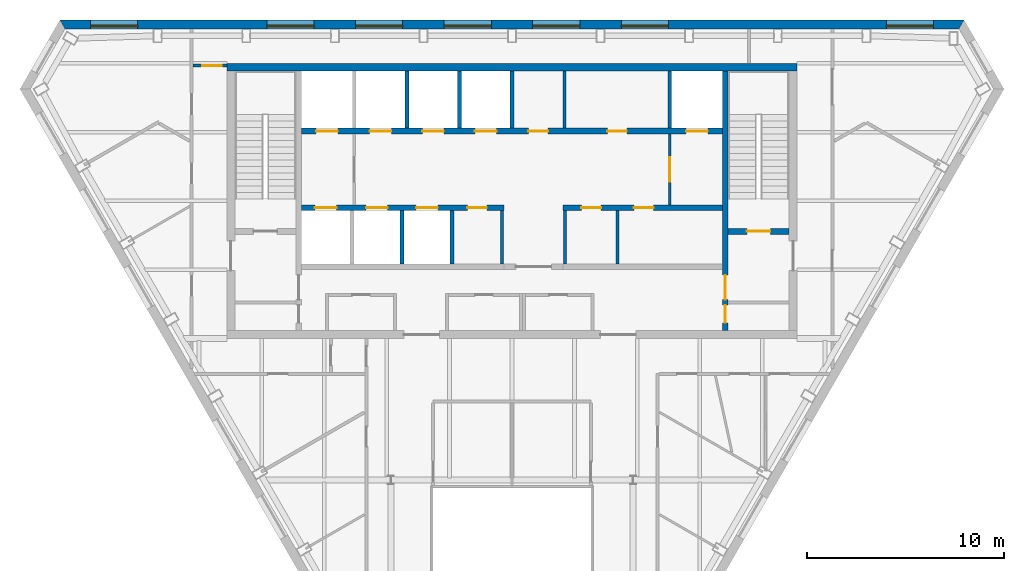
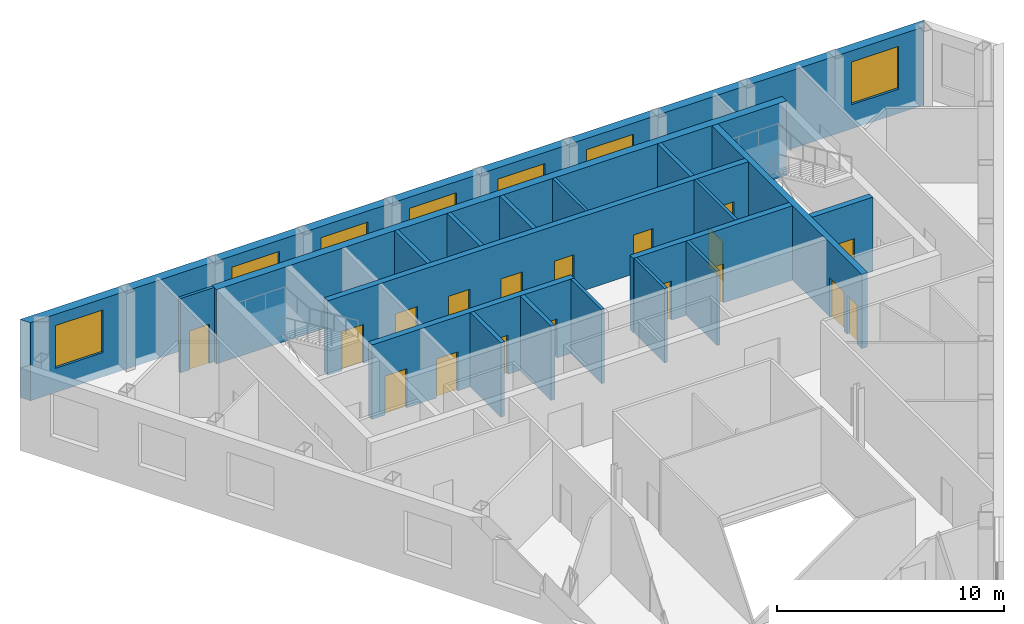
# One storey, part 6 of 10: 19 walls, 18 doors, 7 windows, 25 openings.
"""IFC4 building model written with IfcOpenShell, lengths in metres."""

import ifcopenshell
import ifcopenshell.guid

model = None  # the IFC model being written
_history = None  # IfcOwnerHistory: only IFC2X3 demands one
_inside = {}  # id of a spatial element -> (the spatial element, [elements in it])
_under = {}  # id of a project, library or spatial element -> (it, [spatial elements below it])
_declared = {}  # id of a project -> (the project, [libraries it declares])
_typed = {}  # id of a type object -> (the type object, [elements of that type])
_made_of = {}  # id of a material, layer set ... -> (it, [elements and type objects made of it])


def new_model(schema):
    """Start an empty IFC model of exactly this schema.

    Asked for "IFC4X3", IfcOpenShell would pick the latest addendum, in which some entities
    have other attributes; the version numbers below select the first issue.
    IFC2X3 requires an IfcOwnerHistory on every rooted entity: one is made here for all.
    """
    global model, _history
    if schema == "IFC4X3":
        model = ifcopenshell.file(schema_version=(4, 3, 0, 0))
    else:
        model = ifcopenshell.file(schema=schema)
    _inside.clear()
    _under.clear()
    _declared.clear()
    _typed.clear()
    _made_of.clear()
    _history = None
    if model.schema == "IFC2X3":
        org = make("IfcOrganization", Name="unknown")
        user = make(
            "IfcPersonAndOrganization",
            ThePerson=make("IfcPerson", FamilyName="unknown"),
            TheOrganization=org,
        )
        app = make(
            "IfcApplication",
            ApplicationDeveloper=org,
            Version="unknown",
            ApplicationFullName="unknown",
            ApplicationIdentifier="unknown",
        )
        _history = make(
            "IfcOwnerHistory",
            OwningUser=user,
            OwningApplication=app,
            ChangeAction="ADDED",
            CreationDate=0,
        )
    return model


def make(cls, **values):
    """One entity of the class cls with the attributes given. An attribute that is None is left unset."""
    return model.create_entity(
        cls, **{name: value for name, value in values.items() if value is not None}
    )


def rooted(cls, **values):
    """An entity with a GlobalId (a new one), such as an element, a storey or a relation."""
    return make(cls, GlobalId=ifcopenshell.guid.new(), OwnerHistory=_history, **values)


def si_unit(unit_type, name, prefix=None):
    """IfcSIUnit, for example si_unit("LENGTHUNIT", "METRE", prefix="MILLI")."""
    return make("IfcSIUnit", UnitType=unit_type, Prefix=prefix, Name=name)


def assignment(units):
    """IfcUnitAssignment: the units of a project."""
    return None if units is None else make("IfcUnitAssignment", Units=units)


def point(xyz):
    """IfcCartesianPoint."""
    return None if xyz is None else make("IfcCartesianPoint", Coordinates=xyz)


def direction(xyz):
    """IfcDirection."""
    return None if xyz is None else make("IfcDirection", DirectionRatios=xyz)


def frame(location, z_axis=None, x_axis=None):
    """IfcAxis2Placement3D, a coordinate frame: its origin and axes. An axis left out is left unset."""
    return make(
        "IfcAxis2Placement3D",
        Location=point(location),
        Axis=direction(z_axis),
        RefDirection=direction(x_axis),
    )


def frame_2d(location, x_axis=None):
    """IfcAxis2Placement2D, a coordinate frame in the plane: its origin and x axis."""
    return make(
        "IfcAxis2Placement2D", Location=point(location), RefDirection=direction(x_axis)
    )


def origin():
    """The frame at (0, 0, 0) with its axes left unset."""
    return frame((0.0, 0.0, 0.0))


def place(relative_to, where):
    """IfcLocalPlacement: puts the frame where relative to a parent placement (None: the world)."""
    return make(
        "IfcLocalPlacement", PlacementRelTo=relative_to, RelativePlacement=where
    )


def context(
    kind, dimensions, precision=None, world=None, true_north=None, identifier=None
):
    """IfcGeometricRepresentationContext, for example the 3D "Model" context."""
    return make(
        "IfcGeometricRepresentationContext",
        ContextIdentifier=identifier,
        ContextType=kind,
        CoordinateSpaceDimension=dimensions,
        Precision=precision,
        WorldCoordinateSystem=world,
        TrueNorth=true_north,
    )


def subcontext(parent, identifier, kind, view, scale=None):
    """IfcGeometricRepresentationSubContext, for example "Body" below "Model"."""
    return make(
        "IfcGeometricRepresentationSubContext",
        ContextIdentifier=identifier,
        ContextType=kind,
        ParentContext=parent,
        TargetScale=scale,
        TargetView=view,
    )


def project(units=None, contexts=None):
    """IfcProject with its units and contexts."""
    return rooted(
        "IfcProject",
        Name="project",
        RepresentationContexts=contexts,
        UnitsInContext=assignment(units),
    )


def spatial(cls, under=None, at=None, **own):
    """A site, building, storey or space (cls), placed at a placement, below another one or the project."""
    s = rooted(cls, ObjectPlacement=at, **own)
    if under is not None:
        _under.setdefault(under.id(), (under, []))[1].append(s)
    return s


def polyline(points):
    """IfcPolyline through the points."""
    return make("IfcPolyline", Points=[point(p) for p in points])


def profile(cls, at=None, kind="AREA", **sizes):
    """A parametric profile (cls). Its sizes go by their IFC names, for example OverallWidth=200.0."""
    return make(cls, ProfileType=kind, Position=at, **sizes)


def rectangle(**sizes):
    """IfcRectangleProfileDef."""
    return profile("IfcRectangleProfileDef", **sizes)


def outline(outer, holes=None, kind="AREA"):
    """IfcArbitraryClosedProfileDef: a profile drawn as a closed curve; with holes, ...WithVoids."""
    if holes is None:
        return make("IfcArbitraryClosedProfileDef", ProfileType=kind, OuterCurve=outer)
    return make(
        "IfcArbitraryProfileDefWithVoids",
        ProfileType=kind,
        OuterCurve=outer,
        InnerCurves=holes,
    )


def extrude(swept, where, along, depth):
    """IfcExtrudedAreaSolid: the profile swept, set in the frame where, extruded along a direction by depth."""
    return make(
        "IfcExtrudedAreaSolid",
        SweptArea=swept,
        Position=where,
        ExtrudedDirection=direction(along),
        Depth=depth,
    )


def shape(context_of_items, identifier, shape_type, items):
    """IfcShapeRepresentation: the items that make up one representation, for example the "Body"."""
    return make(
        "IfcShapeRepresentation",
        ContextOfItems=context_of_items,
        RepresentationIdentifier=identifier,
        RepresentationType=shape_type,
        Items=items,
    )


def material(Name=None, Category=None):
    """IfcMaterial."""
    return make("IfcMaterial", Name=Name, Category=Category)


def layer(
    of_material, thickness, ventilated=None, Name=None, Category=None, Priority=None
):
    """IfcMaterialLayer: one layer of a wall or slab, of a material (None: an air gap)."""
    return make(
        "IfcMaterialLayer",
        Material=of_material,
        LayerThickness=thickness,
        IsVentilated=ventilated,
        Name=Name,
        Category=Category,
        Priority=Priority,
    )


def layer_set(layers, Name=None):
    """IfcMaterialLayerSet."""
    return make("IfcMaterialLayerSet", MaterialLayers=layers, LayerSetName=Name)


def made_of(thing, what):
    """Note that an element or type object is made of a material, layer set ...; save() writes the relation."""
    if what is not None:
        _made_of.setdefault(what.id(), (what, []))[1].append(thing)
    return thing


def type_object(cls, material=None, **own):
    """A type object (cls), such as IfcWallType, which elements share."""
    return made_of(rooted(cls, **own), material)


def element(
    cls,
    number,
    at=None,
    inside=None,
    cuts=None,
    type_object=None,
    material=None,
    context=None,
    identifier="Body",
    shape_type=None,
    held_by="IfcProductDefinitionShape",
    body=None,
    shapes=None,
    **own,
):
    """One element of the class cls, such as IfcWall. Its Tag is "e" and its number.

    at: its placement. inside: the storey or other place that contains it. cuts: it is an
    opening in that element (IfcRelVoidsElement). A single representation is given by context,
    identifier, shape_type and body (its items); several are given by shapes. held_by: the class
    of the entity that holds the representations. save() writes the other relations.
    """
    e = rooted(cls, Tag="e%d" % number, ObjectPlacement=at, **own)
    if body is not None:
        shapes = [shape(context, identifier, shape_type, body)]
    if shapes is not None:
        e.Representation = make(held_by, Representations=shapes)
    if inside is not None:
        _inside.setdefault(inside.id(), (inside, []))[1].append(e)
    if cuts is not None:
        rooted(
            "IfcRelVoidsElement", RelatingBuildingElement=cuts, RelatedOpeningElement=e
        )
    if type_object is not None:
        _typed.setdefault(type_object.id(), (type_object, []))[1].append(e)
    return made_of(e, material)


def fill(opening, filler):
    """IfcRelFillsElement: the door or window that sits in an opening."""
    return rooted(
        "IfcRelFillsElement",
        RelatingOpeningElement=opening,
        RelatedBuildingElement=filler,
    )


def aggregate(whole, parts):
    """IfcRelAggregates: a whole, such as a stair, and the parts it consists of."""
    return rooted("IfcRelAggregates", RelatingObject=whole, RelatedObjects=parts)


def save(model, path):
    """Write the relations noted so far, then the file.

    IfcRelAggregates (storeys below a building ...), IfcRelContainedInSpatialStructure (elements
    in a storey), IfcRelDefinesByType, IfcRelAssociatesMaterial and IfcRelDeclares: one each for
    every whole, place, type object, material and project.
    """
    for whole, parts in _under.values():
        aggregate(whole, parts)
    for where, things in _inside.values():
        rooted(
            "IfcRelContainedInSpatialStructure",
            RelatedElements=things,
            RelatingStructure=where,
        )
    for kind, things in _typed.values():
        rooted("IfcRelDefinesByType", RelatedObjects=things, RelatingType=kind)
    for what, things in _made_of.values():
        rooted("IfcRelAssociatesMaterial", RelatedObjects=things, RelatingMaterial=what)
    for by, libraries in _declared.values():
        rooted("IfcRelDeclares", RelatingContext=by, RelatedDefinitions=libraries)
    model.write(path)


model = new_model("IFC4")

# Units and contexts
model_context = context("Model", 3, precision=1e-05, world=origin(), true_north=direction((0.0, 1.0)))
body_context = subcontext(model_context, "Body", "Model", "MODEL_VIEW")
ifc_project = project(units=[si_unit("LENGTHUNIT", "METRE"), si_unit("AREAUNIT", "SQUARE_METRE"), si_unit("VOLUMEUNIT", "CUBIC_METRE"), si_unit("PLANEANGLEUNIT", "RADIAN"), si_unit("MASSUNIT", "GRAM", prefix="KILO")], contexts=[model_context])

# Site, building, storey
site_placement = place(None, origin())
site = spatial("IfcSite", under=ifc_project, at=site_placement, CompositionType="ELEMENT")
building_placement = place(site_placement, origin())
building = spatial("IfcBuilding", under=site, at=building_placement, Name="Njiva Tower", CompositionType="ELEMENT")
storey_placement = place(building_placement, frame((0.0, 0.0, 333.6)))
storey = spatial("IfcBuildingStorey", under=building, at=storey_placement, Name="L76", CompositionType="ELEMENT", Elevation=333.6)

# Walls
ifc_material_1 = material(Name="Blockwork", Category="masonry")
ifc_layer_1 = layer(ifc_material_1, 0.15)
ifc_layer_set_1 = layer_set([ifc_layer_1], Name="Blockwork")
wall_type_1 = type_object("IfcWallType", Name="WT1 Compartment partition 150", PredefinedType="PARTITIONING", material=ifc_layer_set_1)
wall_1_placement = place(storey_placement, frame((2.675, 14.7, 0.0), z_axis=(0.0, 0.0, 1.0), x_axis=(0.0, 1.0, 0.0)))
element("IfcWall", 1, at=wall_1_placement, inside=storey, type_object=wall_type_1, Name="Partition CN5", PredefinedType="PARTITIONING", context=body_context, shape_type="SweptSolid", body=[
    extrude(rectangle(XDim=2.9, YDim=0.15, at=frame_2d((1.45, 0.0))), origin(), (0.0, 0.0, 1.0), 4.0),
])
for number, where, z_axis, x_axis, name in (
    (2, (-0.5, 7.8, 0.0), (0.0, 0.0, 1.0), (0.0, 1.0, 0.0), "Partition CS4"),
    (3, (2.7, 7.8, 0.0), (0.0, 0.0, 1.0), (0.0, 1.0, 0.0), "Partition CS5"),
    (4, (5.3667, 7.8, 0.0), (0.0, 0.0, 1.0), (0.0, 1.0, 0.0), "Partition CS6"),
):
    element("IfcWall", number, at=place(storey_placement, frame(where, z_axis=z_axis, x_axis=x_axis)), inside=storey, type_object=wall_type_1, Name=name, PredefinedType="PARTITIONING", context=body_context, shape_type="SweptSolid", body=[
        extrude(rectangle(XDim=2.7, YDim=0.15, at=frame_2d((1.35, 0.0))), origin(), (0.0, 0.0, 1.0), 4.0),
    ])

# Wall, openings, doors
ifc_material_2 = material(Name="Concrete C40/50", Category="concrete")
ifc_layer_2 = layer(ifc_material_2, 0.3)
ifc_layer_set_2 = layer_set([ifc_layer_2], Name="Concrete C40/50")
wall_type_2 = type_object("IfcWallType", Name="WT10 Stair enclosure wall 300", PredefinedType="SHEAR", material=ifc_layer_set_2)
wall_2_placement = place(storey_placement, frame((10.85, 4.4, 0.0), z_axis=(0.0, 0.0, 1.0), x_axis=(0.0, 1.0, 0.0)))
wall_2 = element("IfcWall", 5, at=wall_2_placement, inside=storey, type_object=wall_type_2, Name="Stair wall east inner", PredefinedType="SHEAR", context=body_context, shape_type="SweptSolid", body=[
    extrude(rectangle(XDim=13.2, YDim=0.3, at=frame_2d((6.6, 0.0))), origin(), (0.0, 0.0, 1.0), 4.0),
])
opening_1_placement = place(wall_2_placement, frame((1.575, 0.0, 0.0)))
opening_1 = element("IfcOpeningElement", 6, at=opening_1_placement, cuts=wall_2, Name="Opening S26-D921", PredefinedType="OPENING", context=body_context, shape_type="SweptSolid", body=[
    extrude(rectangle(XDim=1.25, YDim=2.1, at=frame_2d((0.625, 1.05))), frame((0.0, 0.16, 0.0), z_axis=(0.0, -1.0, 0.0), x_axis=(1.0, 0.0, 0.0)), (0.0, 0.0, 1.0), 0.32),
])
opening_2_placement = place(wall_2_placement, frame((0.4, 0.0, 0.0)))
opening_2 = element("IfcOpeningElement", 7, at=opening_2_placement, cuts=wall_2, Name="Opening S26-D923", PredefinedType="OPENING", context=body_context, shape_type="SweptSolid", body=[
    extrude(rectangle(XDim=0.9, YDim=2.1, at=frame_2d((0.45, 1.05))), frame((0.0, 0.16, 0.0), z_axis=(0.0, -1.0, 0.0), x_axis=(1.0, 0.0, 0.0)), (0.0, 0.0, 1.0), 0.32),
])
ifc_material_3 = material(Name="Steel door, painted", Category="steel")
door_type_1 = type_object("IfcDoorType", Name="D13 Steel door 900x2100", OperationType="SINGLE_SWING_LEFT", PredefinedType="DOOR", material=ifc_material_3)
door_1_placement = place(opening_2_placement, origin())
door_1 = element("IfcDoor", 8, at=door_1_placement, inside=storey, type_object=door_type_1, Name="Business centre door", OperationType="SINGLE_SWING_LEFT", OverallHeight=2.1, OverallWidth=0.9, PredefinedType="DOOR", context=body_context, shape_type="SweptSolid", body=[
    extrude(rectangle(XDim=0.9, YDim=2.1, at=frame_2d((0.45, 1.05))), frame((0.0, 0.025, 0.0), z_axis=(0.0, -1.0, 0.0), x_axis=(1.0, 0.0, 0.0)), (0.0, 0.0, 1.0), 0.05),
])
fill(opening_2, door_1)
ifc_material_4 = material(Name="Glazed steel fire door", Category="steel")
door_type_2 = type_object("IfcDoorType", Name="D8 Vestibule corridor door 1250x2100 glazed", OperationType="SINGLE_SWING_LEFT", PredefinedType="DOOR", material=ifc_material_4)
door_2_placement = place(opening_1_placement, origin())
door_2 = element("IfcDoor", 9, at=door_2_placement, inside=storey, type_object=door_type_2, Name="Stair vestibule corridor door", OperationType="SINGLE_SWING_RIGHT", OverallHeight=2.1, OverallWidth=1.25, PredefinedType="DOOR", context=body_context, shape_type="SweptSolid", body=[
    extrude(rectangle(XDim=1.25, YDim=2.1, at=frame_2d((0.625, 1.05))), frame((0.0, 0.025, 0.0), z_axis=(0.0, -1.0, 0.0), x_axis=(1.0, 0.0, 0.0)), (0.0, 0.0, 1.0), 0.05),
])
fill(opening_1, door_2)

# Wall, opening, door
wall_3_placement = place(storey_placement, frame((11.0, 9.45, 0.0), z_axis=(0.0, 0.0, 1.0), x_axis=(1.0, 0.0, 0.0)))
wall_3 = element("IfcWall", 10, at=wall_3_placement, inside=storey, type_object=wall_type_2, Name="Stair B south wall", PredefinedType="SHEAR", context=body_context, shape_type="SweptSolid", body=[
    extrude(rectangle(XDim=3.1, YDim=0.3, at=frame_2d((1.55, 0.0))), origin(), (0.0, 0.0, 1.0), 4.0),
])
opening_3_placement = place(wall_3_placement, frame((0.95, 0.0, 0.0)))
opening_3 = element("IfcOpeningElement", 11, at=opening_3_placement, cuts=wall_3, Name="Opening S26-D920", PredefinedType="OPENING", context=body_context, shape_type="SweptSolid", body=[
    extrude(rectangle(XDim=1.2, YDim=2.1, at=frame_2d((0.6, 1.05))), frame((0.0, 0.16, 0.0), z_axis=(0.0, -1.0, 0.0), x_axis=(1.0, 0.0, 0.0)), (0.0, 0.0, 1.0), 0.32),
])
door_type_3 = type_object("IfcDoorType", Name="D7 Stair vestibule door 1200x2100 glazed", OperationType="SINGLE_SWING_LEFT", PredefinedType="DOOR", material=ifc_material_4)
door_3_placement = place(opening_3_placement, origin())
door_3 = element("IfcDoor", 12, at=door_3_placement, inside=storey, type_object=door_type_3, Name="Stair B door", OperationType="SINGLE_SWING_LEFT", OverallHeight=2.1, OverallWidth=1.2, PredefinedType="DOOR", context=body_context, shape_type="SweptSolid", body=[
    extrude(rectangle(XDim=1.2, YDim=2.1, at=frame_2d((0.6, 1.05))), frame((0.0, 0.025, 0.0), z_axis=(0.0, -1.0, 0.0), x_axis=(1.0, 0.0, 0.0)), (0.0, 0.0, 1.0), 0.05),
])
fill(opening_3, door_3)

# Wall
ifc_material_5 = material(Name="Concrete C60/75", Category="concrete")
ifc_layer_3 = layer(ifc_material_5, 0.4)
ifc_layer_set_3 = layer_set([ifc_layer_3], Name="Concrete C60/75")
wall_type_3 = type_object("IfcWallType", Name="WT11 Core wall 400", PredefinedType="SHEAR", material=ifc_layer_set_3)
wall_4_placement = place(storey_placement, frame((-14.5, 17.8, 0.0), z_axis=(0.0, 0.0, 1.0), x_axis=(1.0, 0.0, 0.0)))
element("IfcWall", 13, at=wall_4_placement, inside=storey, type_object=wall_type_3, Name="Core wall north", PredefinedType="SHEAR", context=body_context, shape_type="SweptSolid", body=[
    extrude(rectangle(XDim=29.0, YDim=0.4, at=frame_2d((14.5, 0.0))), origin(), (0.0, 0.0, 1.0), 4.0),
])

# Wall, opening, door
ifc_layer_4 = layer(ifc_material_1, 0.15)
ifc_layer_set_4 = layer_set([ifc_layer_4], Name="Blockwork")
wall_type_4 = type_object("IfcWallType", Name="WT2 Lobby partition 150", PredefinedType="PARTITIONING", material=ifc_layer_set_4)
wall_5_placement = place(storey_placement, frame((8.025, 10.8, 0.0), z_axis=(0.0, 0.0, 1.0), x_axis=(0.0, 1.0, 0.0)))
wall_5 = element("IfcWall", 14, at=wall_5_placement, inside=storey, type_object=wall_type_4, Name="Firefighting lobby wall B", PredefinedType="PARTITIONING", context=body_context, shape_type="SweptSolid", body=[
    extrude(rectangle(XDim=3.6, YDim=0.15, at=frame_2d((1.8, 0.0))), origin(), (0.0, 0.0, 1.0), 4.0),
])
opening_4_placement = place(wall_5_placement, frame((1.175, 0.0, 0.0)))
opening_4 = element("IfcOpeningElement", 15, at=opening_4_placement, cuts=wall_5, Name="Opening S26-D919", PredefinedType="OPENING", context=body_context, shape_type="SweptSolid", body=[
    extrude(rectangle(XDim=1.25, YDim=2.1, at=frame_2d((0.625, 1.05))), frame((0.0, 0.085, 0.0), z_axis=(0.0, -1.0, 0.0), x_axis=(1.0, 0.0, 0.0)), (0.0, 0.0, 1.0), 0.17),
])
door_4_placement = place(opening_4_placement, origin())
door_4 = element("IfcDoor", 16, at=door_4_placement, inside=storey, type_object=door_type_2, Name="Stair vestibule corridor door", OperationType="SINGLE_SWING_LEFT", OverallHeight=2.1, OverallWidth=1.25, PredefinedType="DOOR", context=body_context, shape_type="SweptSolid", body=[
    extrude(rectangle(XDim=1.25, YDim=2.1, at=frame_2d((0.625, 1.05))), frame((0.0, 0.025, 0.0), z_axis=(0.0, -1.0, 0.0), x_axis=(1.0, 0.0, 0.0)), (0.0, 0.0, 1.0), 0.05),
])
fill(opening_4, door_4)

ifc_material_6 = material(Name="Gypsum board on steel studs", Category="gypsum")
ifc_layer_5 = layer(ifc_material_6, 0.15)
ifc_layer_set_5 = layer_set([ifc_layer_5], Name="Gypsum board on steel studs")
wall_type_5 = type_object("IfcWallType", Name="WT21 Compartment wall 150", PredefinedType="PARTITIONING", material=ifc_layer_set_5)
wall_6_placement = place(storey_placement, frame((-16.225, 17.879, 0.0), z_axis=(0.0, 0.0, 1.0), x_axis=(1.0, 0.0, 0.0)))
wall_6 = element("IfcWall", 17, at=wall_6_placement, inside=storey, type_object=wall_type_5, Name="Partition S26-P005", PredefinedType="PARTITIONING", context=body_context, shape_type="SweptSolid", body=[
    extrude(rectangle(XDim=1.725, YDim=0.15, at=frame_2d((0.8625, 0.0))), origin(), (0.0, 0.0, 1.0), 4.0),
])
opening_5_placement = place(wall_6_placement, frame((0.471, 0.0, 0.0)))
opening_5 = element("IfcOpeningElement", 18, at=opening_5_placement, cuts=wall_6, Name="Opening S26-D004", PredefinedType="OPENING", context=body_context, shape_type="SweptSolid", body=[
    extrude(rectangle(XDim=1.0, YDim=2.1, at=frame_2d((0.5, 1.05))), frame((0.0, 0.085, 0.0), z_axis=(0.0, -1.0, 0.0), x_axis=(1.0, 0.0, 0.0)), (0.0, 0.0, 1.0), 0.17),
])
ifc_material_7 = material(Name="Steel fire door set", Category="steel")
door_type_4 = type_object("IfcDoorType", Name="D37 Fire door 1000x2100", OperationType="SINGLE_SWING_LEFT", PredefinedType="DOOR", material=ifc_material_7)
door_5_placement = place(opening_5_placement, origin())
door_5 = element("IfcDoor", 19, at=door_5_placement, inside=storey, type_object=door_type_4, Name="Door S26-D004", OperationType="SINGLE_SWING_LEFT", OverallHeight=2.1, OverallWidth=1.0, PredefinedType="DOOR", context=body_context, shape_type="SweptSolid", body=[
    extrude(rectangle(XDim=1.0, YDim=2.1, at=frame_2d((0.5, 1.05))), frame((0.0, 0.025, 0.0), z_axis=(0.0, -1.0, 0.0), x_axis=(1.0, 0.0, 0.0)), (0.0, 0.0, 1.0), 0.05),
])
fill(opening_5, door_5)

# Walls
ifc_layer_6 = layer(ifc_material_2, 0.2)
ifc_layer_set_6 = layer_set([ifc_layer_6], Name="Concrete C40/50")
wall_type_6 = type_object("IfcWallType", Name="WT6 Lift shaft wall 200", PredefinedType="SHEAR", material=ifc_layer_set_6)
for number, where, z_axis, x_axis, name in (
    (20, (-5.35, 14.7, 0.0), (0.0, 0.0, 1.0), (0.0, 1.0, 0.0), "Shaft wall CN2"),
    (21, (-2.675, 14.7, 0.0), (0.0, 0.0, 1.0), (0.0, 1.0, 0.0), "Shaft wall CN3"),
    (22, (0.0, 14.7, 0.0), (0.0, 0.0, 1.0), (0.0, 1.0, 0.0), "Shaft wall CN4"),
    (23, (8.025, 14.7, 0.0), (0.0, 0.0, 1.0), (0.0, 1.0, 0.0), "Shaft wall CN7"),
):
    element("IfcWall", number, at=place(storey_placement, frame(where, z_axis=z_axis, x_axis=x_axis)), inside=storey, type_object=wall_type_6, Name=name, PredefinedType="SHEAR", context=body_context, shape_type="SweptSolid", body=[
        extrude(rectangle(XDim=2.9, YDim=0.2, at=frame_2d((1.45, 0.0))), origin(), (0.0, 0.0, 1.0), 4.0),
    ])
for number, where, z_axis, x_axis, name in (
    (24, (-5.6, 7.8, 0.0), (0.0, 0.0, 1.0), (0.0, 1.0, 0.0), "Shaft wall CS2"),
    (25, (-3.05, 7.8, 0.0), (0.0, 0.0, 1.0), (0.0, 1.0, 0.0), "Shaft wall CS3"),
):
    element("IfcWall", number, at=place(storey_placement, frame(where, z_axis=z_axis, x_axis=x_axis)), inside=storey, type_object=wall_type_6, Name=name, PredefinedType="SHEAR", context=body_context, shape_type="SweptSolid", body=[
        extrude(rectangle(XDim=2.7, YDim=0.2, at=frame_2d((1.35, 0.0))), origin(), (0.0, 0.0, 1.0), 4.0),
    ])

# Wall, openings, doors
ifc_layer_7 = layer(ifc_material_2, 0.3)
ifc_layer_set_7 = layer_set([ifc_layer_7], Name="Concrete C40/50")
wall_type_7 = type_object("IfcWallType", Name="WT7 Lift shaft wall 300", PredefinedType="SHEAR", material=ifc_layer_set_7)
wall_7_placement = place(storey_placement, frame((-10.7, 14.55, 0.0), z_axis=(0.0, 0.0, 1.0), x_axis=(1.0, 0.0, 0.0)))
wall_7 = element("IfcWall", 26, at=wall_7_placement, inside=storey, type_object=wall_type_7, Name="Shaft wall north row lobby side", PredefinedType="SHEAR", context=body_context, shape_type="SweptSolid", body=[
    extrude(rectangle(XDim=21.4, YDim=0.3, at=frame_2d((10.7, 0.0))), origin(), (0.0, 0.0, 1.0), 4.0),
])
opening_6_placement = place(wall_7_placement, frame((0.7375, 0.0, 0.0)))
opening_6 = element("IfcOpeningElement", 27, at=opening_6_placement, cuts=wall_7, Name="Opening S26-D901", PredefinedType="OPENING", context=body_context, shape_type="SweptSolid", body=[
    extrude(rectangle(XDim=1.1, YDim=2.1, at=frame_2d((0.55, 1.05))), frame((0.0, 0.16, 0.0), z_axis=(0.0, -1.0, 0.0), x_axis=(1.0, 0.0, 0.0)), (0.0, 0.0, 1.0), 0.32),
])
opening_7_placement = place(wall_7_placement, frame((3.4625, 0.0, 0.0)))
opening_7 = element("IfcOpeningElement", 28, at=opening_7_placement, cuts=wall_7, Name="Opening S26-D902", PredefinedType="OPENING", context=body_context, shape_type="SweptSolid", body=[
    extrude(rectangle(XDim=1.1, YDim=2.1, at=frame_2d((0.55, 1.05))), frame((0.0, 0.16, 0.0), z_axis=(0.0, -1.0, 0.0), x_axis=(1.0, 0.0, 0.0)), (0.0, 0.0, 1.0), 0.32),
])
opening_8_placement = place(wall_7_placement, frame((6.1375, 0.0, 0.0)))
opening_8 = element("IfcOpeningElement", 29, at=opening_8_placement, cuts=wall_7, Name="Opening S26-D903", PredefinedType="OPENING", context=body_context, shape_type="SweptSolid", body=[
    extrude(rectangle(XDim=1.1, YDim=2.1, at=frame_2d((0.55, 1.05))), frame((0.0, 0.16, 0.0), z_axis=(0.0, -1.0, 0.0), x_axis=(1.0, 0.0, 0.0)), (0.0, 0.0, 1.0), 0.32),
])
opening_9_placement = place(wall_7_placement, frame((8.8125, 0.0, 0.0)))
opening_9 = element("IfcOpeningElement", 30, at=opening_9_placement, cuts=wall_7, Name="Opening S26-D904", PredefinedType="OPENING", context=body_context, shape_type="SweptSolid", body=[
    extrude(rectangle(XDim=1.1, YDim=2.1, at=frame_2d((0.55, 1.05))), frame((0.0, 0.16, 0.0), z_axis=(0.0, -1.0, 0.0), x_axis=(1.0, 0.0, 0.0)), (0.0, 0.0, 1.0), 0.32),
])
opening_10_placement = place(wall_7_placement, frame((19.5625, 0.0, 0.0)))
opening_10 = element("IfcOpeningElement", 31, at=opening_10_placement, cuts=wall_7, Name="Opening S26-D905", PredefinedType="OPENING", context=body_context, shape_type="SweptSolid", body=[
    extrude(rectangle(XDim=1.1, YDim=2.1, at=frame_2d((0.55, 1.05))), frame((0.0, 0.16, 0.0), z_axis=(0.0, -1.0, 0.0), x_axis=(1.0, 0.0, 0.0)), (0.0, 0.0, 1.0), 0.32),
])
opening_11_placement = place(wall_7_placement, frame((11.5375, 0.0, 0.0)))
opening_11 = element("IfcOpeningElement", 32, at=opening_11_placement, cuts=wall_7, Name="Opening S26-D909", PredefinedType="OPENING", context=body_context, shape_type="SweptSolid", body=[
    extrude(rectangle(XDim=1.0, YDim=2.1, at=frame_2d((0.5, 1.05))), frame((0.0, 0.16, 0.0), z_axis=(0.0, -1.0, 0.0), x_axis=(1.0, 0.0, 0.0)), (0.0, 0.0, 1.0), 0.32),
])
opening_12_placement = place(wall_7_placement, frame((15.55, 0.0, 0.0)))
opening_12 = element("IfcOpeningElement", 33, at=opening_12_placement, cuts=wall_7, Name="Opening S26-D910", PredefinedType="OPENING", context=body_context, shape_type="SweptSolid", body=[
    extrude(rectangle(XDim=1.0, YDim=2.1, at=frame_2d((0.5, 1.05))), frame((0.0, 0.16, 0.0), z_axis=(0.0, -1.0, 0.0), x_axis=(1.0, 0.0, 0.0)), (0.0, 0.0, 1.0), 0.32),
])
door_type_5 = type_object("IfcDoorType", Name="D5 Steel door 1000x2100", OperationType="SINGLE_SWING_LEFT", PredefinedType="DOOR", material=ifc_material_3)
door_6_placement = place(opening_11_placement, origin())
door_6 = element("IfcDoor", 34, at=door_6_placement, inside=storey, type_object=door_type_5, Name="Quiet room door", OperationType="SINGLE_SWING_LEFT", OverallHeight=2.1, OverallWidth=1.0, PredefinedType="DOOR", context=body_context, shape_type="SweptSolid", body=[
    extrude(rectangle(XDim=1.0, YDim=2.1, at=frame_2d((0.5, 1.05))), frame((0.0, 0.025, 0.0), z_axis=(0.0, -1.0, 0.0), x_axis=(1.0, 0.0, 0.0)), (0.0, 0.0, 1.0), 0.05),
])
fill(opening_11, door_6)
door_7_placement = place(opening_12_placement, origin())
door_7 = element("IfcDoor", 35, at=door_7_placement, inside=storey, type_object=door_type_5, Name="Prayer room door", OperationType="SINGLE_SWING_LEFT", OverallHeight=2.1, OverallWidth=1.0, PredefinedType="DOOR", context=body_context, shape_type="SweptSolid", body=[
    extrude(rectangle(XDim=1.0, YDim=2.1, at=frame_2d((0.5, 1.05))), frame((0.0, 0.025, 0.0), z_axis=(0.0, -1.0, 0.0), x_axis=(1.0, 0.0, 0.0)), (0.0, 0.0, 1.0), 0.05),
])
fill(opening_12, door_7)
ifc_material_8 = material(Name="Stainless steel sliding door", Category="steel")
door_type_6 = type_object("IfcDoorType", Name="LD Lift landing door 1100x2100", OperationType="SLIDING_TO_LEFT", PredefinedType="DOOR", material=ifc_material_8)
door_8_placement = place(opening_6_placement, origin())
door_8 = element("IfcDoor", 36, at=door_8_placement, inside=storey, type_object=door_type_6, Name="Lift landing door FF1", OperationType="SLIDING_TO_LEFT", OverallHeight=2.1, OverallWidth=1.1, PredefinedType="DOOR", context=body_context, shape_type="SweptSolid", body=[
    extrude(rectangle(XDim=1.1, YDim=2.1, at=frame_2d((0.55, 1.05))), frame((0.0, 0.025, 0.0), z_axis=(0.0, -1.0, 0.0), x_axis=(1.0, 0.0, 0.0)), (0.0, 0.0, 1.0), 0.05),
])
fill(opening_6, door_8)
door_9_placement = place(opening_7_placement, origin())
door_9 = element("IfcDoor", 37, at=door_9_placement, inside=storey, type_object=door_type_6, Name="Lift landing door HB4", OperationType="SLIDING_TO_LEFT", OverallHeight=2.1, OverallWidth=1.1, PredefinedType="DOOR", context=body_context, shape_type="SweptSolid", body=[
    extrude(rectangle(XDim=1.1, YDim=2.1, at=frame_2d((0.55, 1.05))), frame((0.0, 0.025, 0.0), z_axis=(0.0, -1.0, 0.0), x_axis=(1.0, 0.0, 0.0)), (0.0, 0.0, 1.0), 0.05),
])
fill(opening_7, door_9)
door_10_placement = place(opening_8_placement, origin())
door_10 = element("IfcDoor", 38, at=door_10_placement, inside=storey, type_object=door_type_6, Name="Lift landing door HB5", OperationType="SLIDING_TO_LEFT", OverallHeight=2.1, OverallWidth=1.1, PredefinedType="DOOR", context=body_context, shape_type="SweptSolid", body=[
    extrude(rectangle(XDim=1.1, YDim=2.1, at=frame_2d((0.55, 1.05))), frame((0.0, 0.025, 0.0), z_axis=(0.0, -1.0, 0.0), x_axis=(1.0, 0.0, 0.0)), (0.0, 0.0, 1.0), 0.05),
])
fill(opening_8, door_10)
door_11_placement = place(opening_9_placement, origin())
door_11 = element("IfcDoor", 39, at=door_11_placement, inside=storey, type_object=door_type_6, Name="Lift landing door HB6", OperationType="SLIDING_TO_LEFT", OverallHeight=2.1, OverallWidth=1.1, PredefinedType="DOOR", context=body_context, shape_type="SweptSolid", body=[
    extrude(rectangle(XDim=1.1, YDim=2.1, at=frame_2d((0.55, 1.05))), frame((0.0, 0.025, 0.0), z_axis=(0.0, -1.0, 0.0), x_axis=(1.0, 0.0, 0.0)), (0.0, 0.0, 1.0), 0.05),
])
fill(opening_9, door_11)
door_12_placement = place(opening_10_placement, origin())
door_12 = element("IfcDoor", 40, at=door_12_placement, inside=storey, type_object=door_type_6, Name="Lift landing door FF2", OperationType="SLIDING_TO_LEFT", OverallHeight=2.1, OverallWidth=1.1, PredefinedType="DOOR", context=body_context, shape_type="SweptSolid", body=[
    extrude(rectangle(XDim=1.1, YDim=2.1, at=frame_2d((0.55, 1.05))), frame((0.0, 0.025, 0.0), z_axis=(0.0, -1.0, 0.0), x_axis=(1.0, 0.0, 0.0)), (0.0, 0.0, 1.0), 0.05),
])
fill(opening_10, door_12)

wall_8_placement = place(storey_placement, frame((-10.7, 10.65, 0.0), z_axis=(0.0, 0.0, 1.0), x_axis=(1.0, 0.0, 0.0)))
wall_8 = element("IfcWall", 41, at=wall_8_placement, inside=storey, type_object=wall_type_7, Name="Shaft wall south row lobby side W", PredefinedType="SHEAR", context=body_context, shape_type="SweptSolid", body=[
    extrude(rectangle(XDim=10.3, YDim=0.3, at=frame_2d((5.15, 0.0))), origin(), (0.0, 0.0, 1.0), 4.0),
])
opening_13_placement = place(wall_8_placement, frame((0.675, 0.0, 0.0)))
opening_13 = element("IfcOpeningElement", 42, at=opening_13_placement, cuts=wall_8, Name="Opening S26-D906", PredefinedType="OPENING", context=body_context, shape_type="SweptSolid", body=[
    extrude(rectangle(XDim=1.1, YDim=2.1, at=frame_2d((0.55, 1.05))), frame((0.0, 0.16, 0.0), z_axis=(0.0, -1.0, 0.0), x_axis=(1.0, 0.0, 0.0)), (0.0, 0.0, 1.0), 0.32),
])
opening_14_placement = place(wall_8_placement, frame((3.275, 0.0, 0.0)))
opening_14 = element("IfcOpeningElement", 43, at=opening_14_placement, cuts=wall_8, Name="Opening S26-D907", PredefinedType="OPENING", context=body_context, shape_type="SweptSolid", body=[
    extrude(rectangle(XDim=1.1, YDim=2.1, at=frame_2d((0.55, 1.05))), frame((0.0, 0.16, 0.0), z_axis=(0.0, -1.0, 0.0), x_axis=(1.0, 0.0, 0.0)), (0.0, 0.0, 1.0), 0.32),
])
opening_15_placement = place(wall_8_placement, frame((5.825, 0.0, 0.0)))
opening_15 = element("IfcOpeningElement", 44, at=opening_15_placement, cuts=wall_8, Name="Opening S26-D908", PredefinedType="OPENING", context=body_context, shape_type="SweptSolid", body=[
    extrude(rectangle(XDim=1.1, YDim=2.1, at=frame_2d((0.55, 1.05))), frame((0.0, 0.16, 0.0), z_axis=(0.0, -1.0, 0.0), x_axis=(1.0, 0.0, 0.0)), (0.0, 0.0, 1.0), 0.32),
])
opening_16_placement = place(wall_8_placement, frame((8.425, 0.0, 0.0)))
opening_16 = element("IfcOpeningElement", 45, at=opening_16_placement, cuts=wall_8, Name="Opening S26-D911", PredefinedType="OPENING", context=body_context, shape_type="SweptSolid", body=[
    extrude(rectangle(XDim=1.0, YDim=2.1, at=frame_2d((0.5, 1.05))), frame((0.0, 0.16, 0.0), z_axis=(0.0, -1.0, 0.0), x_axis=(1.0, 0.0, 0.0)), (0.0, 0.0, 1.0), 0.32),
])
door_13_placement = place(opening_16_placement, origin())
door_13 = element("IfcDoor", 46, at=door_13_placement, inside=storey, type_object=door_type_5, Name="Business centre door", OperationType="SINGLE_SWING_RIGHT", OverallHeight=2.1, OverallWidth=1.0, PredefinedType="DOOR", context=body_context, shape_type="SweptSolid", body=[
    extrude(rectangle(XDim=1.0, YDim=2.1, at=frame_2d((0.5, 1.05))), frame((0.0, 0.025, 0.0), z_axis=(0.0, -1.0, 0.0), x_axis=(1.0, 0.0, 0.0)), (0.0, 0.0, 1.0), 0.05),
])
fill(opening_16, door_13)
door_14_placement = place(opening_13_placement, origin())
door_14 = element("IfcDoor", 47, at=door_14_placement, inside=storey, type_object=door_type_6, Name="Lift landing door HB1", OperationType="SLIDING_TO_LEFT", OverallHeight=2.1, OverallWidth=1.1, PredefinedType="DOOR", context=body_context, shape_type="SweptSolid", body=[
    extrude(rectangle(XDim=1.1, YDim=2.1, at=frame_2d((0.55, 1.05))), frame((0.0, 0.025, 0.0), z_axis=(0.0, -1.0, 0.0), x_axis=(1.0, 0.0, 0.0)), (0.0, 0.0, 1.0), 0.05),
])
fill(opening_13, door_14)
door_15_placement = place(opening_14_placement, origin())
door_15 = element("IfcDoor", 48, at=door_15_placement, inside=storey, type_object=door_type_6, Name="Lift landing door HB2", OperationType="SLIDING_TO_LEFT", OverallHeight=2.1, OverallWidth=1.1, PredefinedType="DOOR", context=body_context, shape_type="SweptSolid", body=[
    extrude(rectangle(XDim=1.1, YDim=2.1, at=frame_2d((0.55, 1.05))), frame((0.0, 0.025, 0.0), z_axis=(0.0, -1.0, 0.0), x_axis=(1.0, 0.0, 0.0)), (0.0, 0.0, 1.0), 0.05),
])
fill(opening_14, door_15)
door_16_placement = place(opening_15_placement, origin())
door_16 = element("IfcDoor", 49, at=door_16_placement, inside=storey, type_object=door_type_6, Name="Lift landing door HB3", OperationType="SLIDING_TO_LEFT", OverallHeight=2.1, OverallWidth=1.1, PredefinedType="DOOR", context=body_context, shape_type="SweptSolid", body=[
    extrude(rectangle(XDim=1.1, YDim=2.1, at=frame_2d((0.55, 1.05))), frame((0.0, 0.025, 0.0), z_axis=(0.0, -1.0, 0.0), x_axis=(1.0, 0.0, 0.0)), (0.0, 0.0, 1.0), 0.05),
])
fill(opening_15, door_16)

wall_9_placement = place(storey_placement, frame((2.6, 10.65, 0.0), z_axis=(0.0, 0.0, 1.0), x_axis=(1.0, 0.0, 0.0)))
wall_9 = element("IfcWall", 50, at=wall_9_placement, inside=storey, type_object=wall_type_7, Name="Shaft wall south row lobby side E", PredefinedType="SHEAR", context=body_context, shape_type="SweptSolid", body=[
    extrude(rectangle(XDim=8.1, YDim=0.3, at=frame_2d((4.05, 0.0))), origin(), (0.0, 0.0, 1.0), 4.0),
])
opening_17_placement = place(wall_9_placement, frame((0.9334, 0.0, 0.0)))
opening_17 = element("IfcOpeningElement", 51, at=opening_17_placement, cuts=wall_9, Name="Opening S26-D912", PredefinedType="OPENING", context=body_context, shape_type="SweptSolid", body=[
    extrude(rectangle(XDim=1.0, YDim=2.1, at=frame_2d((0.5, 1.05))), frame((0.0, 0.16, 0.0), z_axis=(0.0, -1.0, 0.0), x_axis=(1.0, 0.0, 0.0)), (0.0, 0.0, 1.0), 0.32),
])
opening_18_placement = place(wall_9_placement, frame((3.6, 0.0, 0.0)))
opening_18 = element("IfcOpeningElement", 52, at=opening_18_placement, cuts=wall_9, Name="Opening S26-D913", PredefinedType="OPENING", context=body_context, shape_type="SweptSolid", body=[
    extrude(rectangle(XDim=1.0, YDim=2.1, at=frame_2d((0.5, 1.05))), frame((0.0, 0.16, 0.0), z_axis=(0.0, -1.0, 0.0), x_axis=(1.0, 0.0, 0.0)), (0.0, 0.0, 1.0), 0.32),
])
door_17_placement = place(opening_17_placement, origin())
door_17 = element("IfcDoor", 53, at=door_17_placement, inside=storey, type_object=door_type_5, Name="Meeting room door", OperationType="SINGLE_SWING_LEFT", OverallHeight=2.1, OverallWidth=1.0, PredefinedType="DOOR", context=body_context, shape_type="SweptSolid", body=[
    extrude(rectangle(XDim=1.0, YDim=2.1, at=frame_2d((0.5, 1.05))), frame((0.0, 0.025, 0.0), z_axis=(0.0, -1.0, 0.0), x_axis=(1.0, 0.0, 0.0)), (0.0, 0.0, 1.0), 0.05),
])
fill(opening_17, door_17)
door_18_placement = place(opening_18_placement, origin())
door_18 = element("IfcDoor", 54, at=door_18_placement, inside=storey, type_object=door_type_5, Name="Ventilation plant room door", OperationType="SINGLE_SWING_RIGHT", OverallHeight=2.1, OverallWidth=1.0, PredefinedType="DOOR", context=body_context, shape_type="SweptSolid", body=[
    extrude(rectangle(XDim=1.0, YDim=2.1, at=frame_2d((0.5, 1.05))), frame((0.0, 0.025, 0.0), z_axis=(0.0, -1.0, 0.0), x_axis=(1.0, 0.0, 0.0)), (0.0, 0.0, 1.0), 0.05),
])
fill(opening_18, door_18)

# Wall, openings, windows
ifc_material_9 = material(Name="Brick masonry", Category="masonry")
ifc_layer_8 = layer(ifc_material_9, 0.45)
ifc_layer_set_8 = layer_set([ifc_layer_8], Name="Brick masonry")
wall_type_8 = type_object("IfcWallType", Name="WT90 Brick pier and spandrel wall 450", PredefinedType="SOLIDWALL", material=ifc_layer_set_8)
wall_10_placement = place(storey_placement, frame((22.8651, 19.975, -0.4), z_axis=(0.0, 0.0, 1.0), x_axis=(-1.0, 0.0, 0.0)))
wall_10 = element("IfcWall", 55, at=wall_10_placement, inside=storey, type_object=wall_type_8, Name="Facade wall N", PredefinedType="SOLIDWALL", context=body_context, shape_type="SweptSolid", body=[
    extrude(outline(polyline([(-0.1299, -0.225), (45.8601, -0.225), (45.6003, 0.225), (0.1299, 0.225), (-0.1299, -0.225)])), origin(), (0.0, 0.0, 1.0), 4.2),
])
opening_19_placement = place(wall_10_placement, frame((1.4237, 0.0, 1.3)))
opening_19 = element("IfcOpeningElement", 56, at=opening_19_placement, cuts=wall_10, Name="Opening S26-W01", PredefinedType="OPENING", context=body_context, shape_type="SweptSolid", body=[
    extrude(rectangle(XDim=2.4, YDim=2.3, at=frame_2d((1.2, 1.15))), frame((0.0, 0.235, 0.0), z_axis=(0.0, -1.0, 0.0), x_axis=(1.0, 0.0, 0.0)), (0.0, 0.0, 1.0), 0.47),
])
opening_20_placement = place(wall_10_placement, frame((14.9052, 0.0, 1.3)))
opening_20 = element("IfcOpeningElement", 57, at=opening_20_placement, cuts=wall_10, Name="Opening S26-W02", PredefinedType="OPENING", context=body_context, shape_type="SweptSolid", body=[
    extrude(rectangle(XDim=2.4, YDim=2.3, at=frame_2d((1.2, 1.15))), frame((0.0, 0.235, 0.0), z_axis=(0.0, -1.0, 0.0), x_axis=(1.0, 0.0, 0.0)), (0.0, 0.0, 1.0), 0.47),
])
opening_21_placement = place(wall_10_placement, frame((19.4118, 0.0, 1.3)))
opening_21 = element("IfcOpeningElement", 58, at=opening_21_placement, cuts=wall_10, Name="Opening S26-W03", PredefinedType="OPENING", context=body_context, shape_type="SweptSolid", body=[
    extrude(rectangle(XDim=2.4, YDim=2.3, at=frame_2d((1.2, 1.15))), frame((0.0, 0.235, 0.0), z_axis=(0.0, -1.0, 0.0), x_axis=(1.0, 0.0, 0.0)), (0.0, 0.0, 1.0), 0.47),
])
opening_22_placement = place(wall_10_placement, frame((23.9184, 0.0, 1.3)))
opening_22 = element("IfcOpeningElement", 59, at=opening_22_placement, cuts=wall_10, Name="Opening S26-W04", PredefinedType="OPENING", context=body_context, shape_type="SweptSolid", body=[
    extrude(rectangle(XDim=2.4, YDim=2.3, at=frame_2d((1.2, 1.15))), frame((0.0, 0.235, 0.0), z_axis=(0.0, -1.0, 0.0), x_axis=(1.0, 0.0, 0.0)), (0.0, 0.0, 1.0), 0.47),
])
opening_23_placement = place(wall_10_placement, frame((28.425, 0.0, 1.3)))
opening_23 = element("IfcOpeningElement", 60, at=opening_23_placement, cuts=wall_10, Name="Opening S26-W05", PredefinedType="OPENING", context=body_context, shape_type="SweptSolid", body=[
    extrude(rectangle(XDim=2.4, YDim=2.3, at=frame_2d((1.2, 1.15))), frame((0.0, 0.235, 0.0), z_axis=(0.0, -1.0, 0.0), x_axis=(1.0, 0.0, 0.0)), (0.0, 0.0, 1.0), 0.47),
])
opening_24_placement = place(wall_10_placement, frame((32.9316, 0.0, 1.3)))
opening_24 = element("IfcOpeningElement", 61, at=opening_24_placement, cuts=wall_10, Name="Opening S26-W06", PredefinedType="OPENING", context=body_context, shape_type="SweptSolid", body=[
    extrude(rectangle(XDim=2.4, YDim=2.3, at=frame_2d((1.2, 1.15))), frame((0.0, 0.235, 0.0), z_axis=(0.0, -1.0, 0.0), x_axis=(1.0, 0.0, 0.0)), (0.0, 0.0, 1.0), 0.47),
])
opening_25_placement = place(wall_10_placement, frame((41.9065, 0.0, 1.3)))
opening_25 = element("IfcOpeningElement", 62, at=opening_25_placement, cuts=wall_10, Name="Opening S26-W07", PredefinedType="OPENING", context=body_context, shape_type="SweptSolid", body=[
    extrude(rectangle(XDim=2.4, YDim=2.3, at=frame_2d((1.2, 1.15))), frame((0.0, 0.235, 0.0), z_axis=(0.0, -1.0, 0.0), x_axis=(1.0, 0.0, 0.0)), (0.0, 0.0, 1.0), 0.47),
])
ifc_material_10 = material(Name="Clear glazing in aluminium frame", Category="aluminium")
window_type = type_object("IfcWindowType", Name="W91 Deep-set window 2400x2300", PartitioningType="SINGLE_PANEL", PredefinedType="WINDOW", material=ifc_material_10)
window_1_placement = place(opening_19_placement, origin())
window_1 = element("IfcWindow", 63, at=window_1_placement, inside=storey, type_object=window_type, Name="Window", OverallHeight=2.3, OverallWidth=2.4, PartitioningType="SINGLE_PANEL", PredefinedType="WINDOW", context=body_context, shape_type="SweptSolid", body=[
    extrude(rectangle(XDim=2.4, YDim=2.3, at=frame_2d((1.2, 1.15))), frame((0.0, 0.105, 0.0), z_axis=(0.0, -1.0, 0.0), x_axis=(1.0, 0.0, 0.0)), (0.0, 0.0, 1.0), 0.06),
])
fill(opening_19, window_1)
window_2_placement = place(opening_20_placement, origin())
window_2 = element("IfcWindow", 64, at=window_2_placement, inside=storey, type_object=window_type, Name="Window", OverallHeight=2.3, OverallWidth=2.4, PartitioningType="SINGLE_PANEL", PredefinedType="WINDOW", context=body_context, shape_type="SweptSolid", body=[
    extrude(rectangle(XDim=2.4, YDim=2.3, at=frame_2d((1.2, 1.15))), frame((0.0, 0.105, 0.0), z_axis=(0.0, -1.0, 0.0), x_axis=(1.0, 0.0, 0.0)), (0.0, 0.0, 1.0), 0.06),
])
fill(opening_20, window_2)
window_3_placement = place(opening_21_placement, origin())
window_3 = element("IfcWindow", 65, at=window_3_placement, inside=storey, type_object=window_type, Name="Window", OverallHeight=2.3, OverallWidth=2.4, PartitioningType="SINGLE_PANEL", PredefinedType="WINDOW", context=body_context, shape_type="SweptSolid", body=[
    extrude(rectangle(XDim=2.4, YDim=2.3, at=frame_2d((1.2, 1.15))), frame((0.0, 0.105, 0.0), z_axis=(0.0, -1.0, 0.0), x_axis=(1.0, 0.0, 0.0)), (0.0, 0.0, 1.0), 0.06),
])
fill(opening_21, window_3)
window_4_placement = place(opening_22_placement, origin())
window_4 = element("IfcWindow", 66, at=window_4_placement, inside=storey, type_object=window_type, Name="Window", OverallHeight=2.3, OverallWidth=2.4, PartitioningType="SINGLE_PANEL", PredefinedType="WINDOW", context=body_context, shape_type="SweptSolid", body=[
    extrude(rectangle(XDim=2.4, YDim=2.3, at=frame_2d((1.2, 1.15))), frame((0.0, 0.105, 0.0), z_axis=(0.0, -1.0, 0.0), x_axis=(1.0, 0.0, 0.0)), (0.0, 0.0, 1.0), 0.06),
])
fill(opening_22, window_4)
window_5_placement = place(opening_23_placement, origin())
window_5 = element("IfcWindow", 67, at=window_5_placement, inside=storey, type_object=window_type, Name="Window", OverallHeight=2.3, OverallWidth=2.4, PartitioningType="SINGLE_PANEL", PredefinedType="WINDOW", context=body_context, shape_type="SweptSolid", body=[
    extrude(rectangle(XDim=2.4, YDim=2.3, at=frame_2d((1.2, 1.15))), frame((0.0, 0.105, 0.0), z_axis=(0.0, -1.0, 0.0), x_axis=(1.0, 0.0, 0.0)), (0.0, 0.0, 1.0), 0.06),
])
fill(opening_23, window_5)
window_6_placement = place(opening_24_placement, origin())
window_6 = element("IfcWindow", 68, at=window_6_placement, inside=storey, type_object=window_type, Name="Window", OverallHeight=2.3, OverallWidth=2.4, PartitioningType="SINGLE_PANEL", PredefinedType="WINDOW", context=body_context, shape_type="SweptSolid", body=[
    extrude(rectangle(XDim=2.4, YDim=2.3, at=frame_2d((1.2, 1.15))), frame((0.0, 0.105, 0.0), z_axis=(0.0, -1.0, 0.0), x_axis=(1.0, 0.0, 0.0)), (0.0, 0.0, 1.0), 0.06),
])
fill(opening_24, window_6)
window_7_placement = place(opening_25_placement, origin())
window_7 = element("IfcWindow", 69, at=window_7_placement, inside=storey, type_object=window_type, Name="Window", OverallHeight=2.3, OverallWidth=2.4, PartitioningType="SINGLE_PANEL", PredefinedType="WINDOW", context=body_context, shape_type="SweptSolid", body=[
    extrude(rectangle(XDim=2.4, YDim=2.3, at=frame_2d((1.2, 1.15))), frame((0.0, 0.105, 0.0), z_axis=(0.0, -1.0, 0.0), x_axis=(1.0, 0.0, 0.0)), (0.0, 0.0, 1.0), 0.06),
])
fill(opening_25, window_7)

save(model, "model.ifc")
